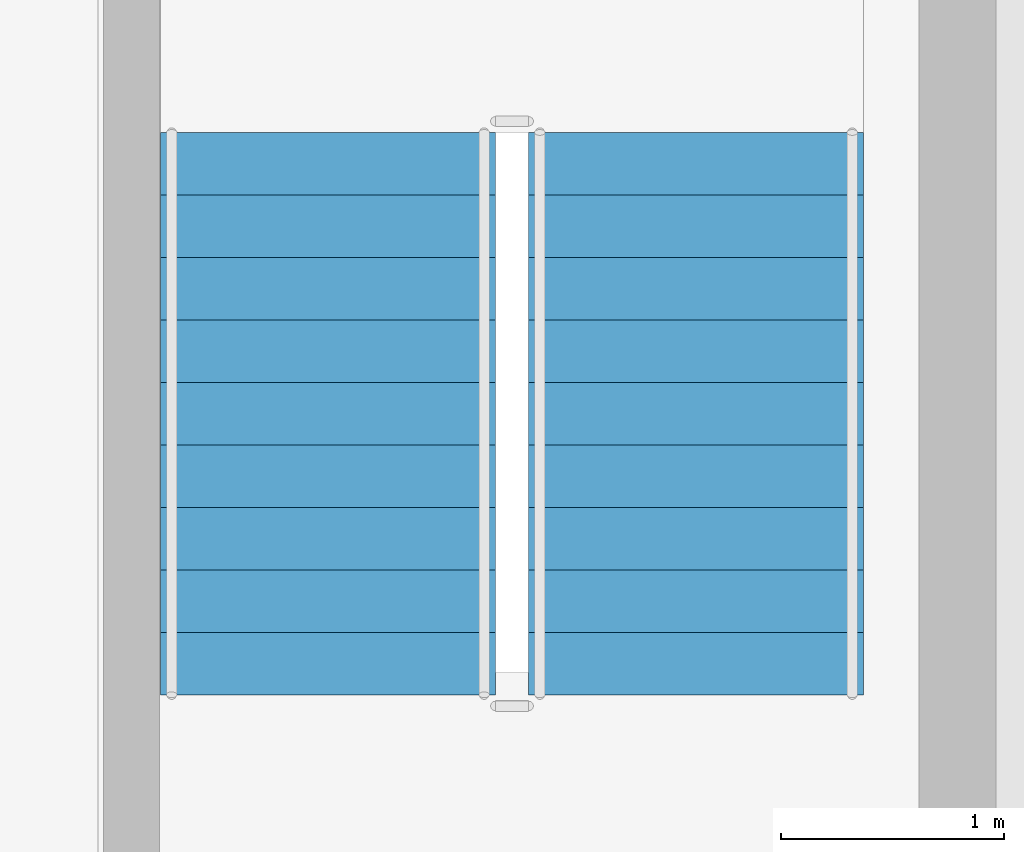
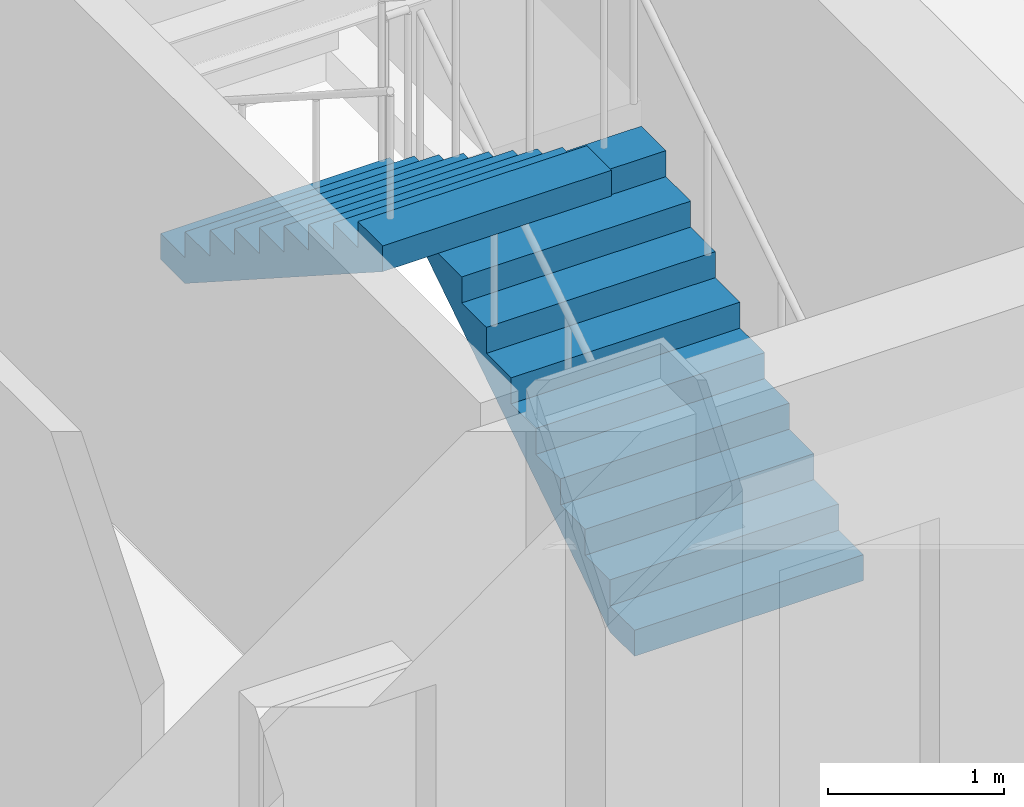
# One storey, part 13 of 16: 2 stair flights, 1 element without a shape of its own.
"""IFC4 building model written with IfcOpenShell, lengths in metres."""

import ifcopenshell
import ifcopenshell.guid

model = None  # the IFC model being written
_history = None  # IfcOwnerHistory: only IFC2X3 demands one
_inside = {}  # id of a spatial element -> (the spatial element, [elements in it])
_under = {}  # id of a project, library or spatial element -> (it, [spatial elements below it])
_declared = {}  # id of a project -> (the project, [libraries it declares])
_typed = {}  # id of a type object -> (the type object, [elements of that type])
_made_of = {}  # id of a material, layer set ... -> (it, [elements and type objects made of it])


def new_model(schema):
    """Start an empty IFC model of exactly this schema.

    Asked for "IFC4X3", IfcOpenShell would pick the latest addendum, in which some entities
    have other attributes; the version numbers below select the first issue.
    IFC2X3 requires an IfcOwnerHistory on every rooted entity: one is made here for all.
    """
    global model, _history
    if schema == "IFC4X3":
        model = ifcopenshell.file(schema_version=(4, 3, 0, 0))
    else:
        model = ifcopenshell.file(schema=schema)
    _inside.clear()
    _under.clear()
    _declared.clear()
    _typed.clear()
    _made_of.clear()
    _history = None
    if model.schema == "IFC2X3":
        org = make("IfcOrganization", Name="unknown")
        user = make(
            "IfcPersonAndOrganization",
            ThePerson=make("IfcPerson", FamilyName="unknown"),
            TheOrganization=org,
        )
        app = make(
            "IfcApplication",
            ApplicationDeveloper=org,
            Version="unknown",
            ApplicationFullName="unknown",
            ApplicationIdentifier="unknown",
        )
        _history = make(
            "IfcOwnerHistory",
            OwningUser=user,
            OwningApplication=app,
            ChangeAction="ADDED",
            CreationDate=0,
        )
    return model


def make(cls, **values):
    """One entity of the class cls with the attributes given. An attribute that is None is left unset."""
    return model.create_entity(
        cls, **{name: value for name, value in values.items() if value is not None}
    )


def rooted(cls, **values):
    """An entity with a GlobalId (a new one), such as an element, a storey or a relation."""
    return make(cls, GlobalId=ifcopenshell.guid.new(), OwnerHistory=_history, **values)


def si_unit(unit_type, name, prefix=None):
    """IfcSIUnit, for example si_unit("LENGTHUNIT", "METRE", prefix="MILLI")."""
    return make("IfcSIUnit", UnitType=unit_type, Prefix=prefix, Name=name)


def assignment(units):
    """IfcUnitAssignment: the units of a project."""
    return None if units is None else make("IfcUnitAssignment", Units=units)


def point(xyz):
    """IfcCartesianPoint."""
    return None if xyz is None else make("IfcCartesianPoint", Coordinates=xyz)


def direction(xyz):
    """IfcDirection."""
    return None if xyz is None else make("IfcDirection", DirectionRatios=xyz)


def frame(location, z_axis=None, x_axis=None):
    """IfcAxis2Placement3D, a coordinate frame: its origin and axes. An axis left out is left unset."""
    return make(
        "IfcAxis2Placement3D",
        Location=point(location),
        Axis=direction(z_axis),
        RefDirection=direction(x_axis),
    )


def origin():
    """The frame at (0, 0, 0) with its axes left unset."""
    return frame((0.0, 0.0, 0.0))


def place(relative_to, where):
    """IfcLocalPlacement: puts the frame where relative to a parent placement (None: the world)."""
    return make(
        "IfcLocalPlacement", PlacementRelTo=relative_to, RelativePlacement=where
    )


def context(
    kind, dimensions, precision=None, world=None, true_north=None, identifier=None
):
    """IfcGeometricRepresentationContext, for example the 3D "Model" context."""
    return make(
        "IfcGeometricRepresentationContext",
        ContextIdentifier=identifier,
        ContextType=kind,
        CoordinateSpaceDimension=dimensions,
        Precision=precision,
        WorldCoordinateSystem=world,
        TrueNorth=true_north,
    )


def subcontext(parent, identifier, kind, view, scale=None):
    """IfcGeometricRepresentationSubContext, for example "Body" below "Model"."""
    return make(
        "IfcGeometricRepresentationSubContext",
        ContextIdentifier=identifier,
        ContextType=kind,
        ParentContext=parent,
        TargetScale=scale,
        TargetView=view,
    )


def project(units=None, contexts=None):
    """IfcProject with its units and contexts."""
    return rooted(
        "IfcProject",
        Name="project",
        RepresentationContexts=contexts,
        UnitsInContext=assignment(units),
    )


def spatial(cls, under=None, at=None, **own):
    """A site, building, storey or space (cls), placed at a placement, below another one or the project."""
    s = rooted(cls, ObjectPlacement=at, **own)
    if under is not None:
        _under.setdefault(under.id(), (under, []))[1].append(s)
    return s


def polyline(points):
    """IfcPolyline through the points."""
    return make("IfcPolyline", Points=[point(p) for p in points])


def outline(outer, holes=None, kind="AREA"):
    """IfcArbitraryClosedProfileDef: a profile drawn as a closed curve; with holes, ...WithVoids."""
    if holes is None:
        return make("IfcArbitraryClosedProfileDef", ProfileType=kind, OuterCurve=outer)
    return make(
        "IfcArbitraryProfileDefWithVoids",
        ProfileType=kind,
        OuterCurve=outer,
        InnerCurves=holes,
    )


def extrude(swept, where, along, depth):
    """IfcExtrudedAreaSolid: the profile swept, set in the frame where, extruded along a direction by depth."""
    return make(
        "IfcExtrudedAreaSolid",
        SweptArea=swept,
        Position=where,
        ExtrudedDirection=direction(along),
        Depth=depth,
    )


def shape(context_of_items, identifier, shape_type, items):
    """IfcShapeRepresentation: the items that make up one representation, for example the "Body"."""
    return make(
        "IfcShapeRepresentation",
        ContextOfItems=context_of_items,
        RepresentationIdentifier=identifier,
        RepresentationType=shape_type,
        Items=items,
    )


def material(Name=None, Category=None):
    """IfcMaterial."""
    return make("IfcMaterial", Name=Name, Category=Category)


def made_of(thing, what):
    """Note that an element or type object is made of a material, layer set ...; save() writes the relation."""
    if what is not None:
        _made_of.setdefault(what.id(), (what, []))[1].append(thing)
    return thing


def type_object(cls, material=None, **own):
    """A type object (cls), such as IfcWallType, which elements share."""
    return made_of(rooted(cls, **own), material)


def element(
    cls,
    number,
    at=None,
    inside=None,
    cuts=None,
    type_object=None,
    material=None,
    context=None,
    identifier="Body",
    shape_type=None,
    held_by="IfcProductDefinitionShape",
    body=None,
    shapes=None,
    **own,
):
    """One element of the class cls, such as IfcWall. Its Tag is "e" and its number.

    at: its placement. inside: the storey or other place that contains it. cuts: it is an
    opening in that element (IfcRelVoidsElement). A single representation is given by context,
    identifier, shape_type and body (its items); several are given by shapes. held_by: the class
    of the entity that holds the representations. save() writes the other relations.
    """
    e = rooted(cls, Tag="e%d" % number, ObjectPlacement=at, **own)
    if body is not None:
        shapes = [shape(context, identifier, shape_type, body)]
    if shapes is not None:
        e.Representation = make(held_by, Representations=shapes)
    if inside is not None:
        _inside.setdefault(inside.id(), (inside, []))[1].append(e)
    if cuts is not None:
        rooted(
            "IfcRelVoidsElement", RelatingBuildingElement=cuts, RelatedOpeningElement=e
        )
    if type_object is not None:
        _typed.setdefault(type_object.id(), (type_object, []))[1].append(e)
    return made_of(e, material)


def aggregate(whole, parts):
    """IfcRelAggregates: a whole, such as a stair, and the parts it consists of."""
    return rooted("IfcRelAggregates", RelatingObject=whole, RelatedObjects=parts)


def save(model, path):
    """Write the relations noted so far, then the file.

    IfcRelAggregates (storeys below a building ...), IfcRelContainedInSpatialStructure (elements
    in a storey), IfcRelDefinesByType, IfcRelAssociatesMaterial and IfcRelDeclares: one each for
    every whole, place, type object, material and project.
    """
    for whole, parts in _under.values():
        aggregate(whole, parts)
    for where, things in _inside.values():
        rooted(
            "IfcRelContainedInSpatialStructure",
            RelatedElements=things,
            RelatingStructure=where,
        )
    for kind, things in _typed.values():
        rooted("IfcRelDefinesByType", RelatedObjects=things, RelatingType=kind)
    for what, things in _made_of.values():
        rooted("IfcRelAssociatesMaterial", RelatedObjects=things, RelatingMaterial=what)
    for by, libraries in _declared.values():
        rooted("IfcRelDeclares", RelatingContext=by, RelatedDefinitions=libraries)
    model.write(path)


model = new_model("IFC4")

# Units and contexts
model_context = context("Model", 3, precision=1e-05, world=origin(), true_north=direction((0.0, 1.0)))
body_context = subcontext(model_context, "Body", "Model", "MODEL_VIEW")
ifc_project = project(units=[si_unit("LENGTHUNIT", "METRE"), si_unit("AREAUNIT", "SQUARE_METRE"), si_unit("VOLUMEUNIT", "CUBIC_METRE"), si_unit("PLANEANGLEUNIT", "RADIAN"), si_unit("MASSUNIT", "GRAM", prefix="KILO")], contexts=[model_context])

# Site, building, storey
site_placement = place(None, origin())
site = spatial("IfcSite", under=ifc_project, at=site_placement, CompositionType="ELEMENT")
building_placement = place(site_placement, origin())
building = spatial("IfcBuilding", under=site, at=building_placement, Name="Trevonay Congress Spire", CompositionType="ELEMENT")
storey_placement = place(building_placement, frame((0.0, 0.0, 177.0)))
storey = spatial("IfcBuildingStorey", under=building, at=storey_placement, Name="L45", CompositionType="ELEMENT", Elevation=177.0)

# Stair, stair flights
ifc_material = material(Name="Concrete C40/50", Category="concrete")
stair_type = type_object("IfcStairType", Name="STR-ST-2", PredefinedType="HALF_TURN_STAIR", material=ifc_material)
stair_placement = place(storey_placement, origin())
stair = element("IfcStair", 1, at=stair_placement, inside=storey, type_object=stair_type, Name="L45 Protected Exit Stair ST-2", PredefinedType="HALF_TURN_STAIR")
stair_flight_type = type_object("IfcStairFlightType", Name="SFL-ST-2", PredefinedType="STRAIGHT", material=ifc_material)
stair_flight_1_placement = place(storey_placement, frame((6.0, -5.25, 0.0), z_axis=(0.0, 0.0, 1.0), x_axis=(0.0, 1.0, 0.0)))
stair_flight_1 = element("IfcStairFlight", 2, at=stair_flight_1_placement, type_object=stair_flight_type, Name="ST-2 flight 1", NumberOfRisers=10, NumberOfTreads=9, PredefinedType="STRAIGHT", RiserHeight=0.18, TreadLength=0.28, context=body_context, shape_type="SweptSolid", body=[
    extrude(outline(polyline([(0.0, 0.0), (0.0, 0.179931640625), (0.280029296875, 0.179931640625), (0.280029296875, 0.360107421875), (0.56005859375, 0.360107421875), (0.56005859375, 0.5400390625), (0.840087890625, 0.5400390625), (0.840087890625, 0.719970703125), (1.1201171875, 0.719970703125), (1.1201171875, 0.89990234375), (1.39990234375, 0.89990234375), (1.39990234375, 1.080078125), (1.679931640625, 1.080078125), (1.679931640625, 1.260009765625), (1.9599609375, 1.260009765625), (1.9599609375, 1.43994140625), (2.239990234375, 1.43994140625), (2.239990234375, 1.6201171875), (2.52001953125, 1.6201171875), (2.52001953125, 1.800048828125), (2.52001953125, 1.44189453125), (0.277099609375, 0.0), (0.0, 0.0)])), frame((0.0, 0.75, 0.0), z_axis=(0.0, -1.0, 0.0), x_axis=(1.0, 0.0, 0.0)), (0.0, 0.0, 1.0), 1.5),
])
stair_flight_2_placement = place(storey_placement, frame((4.35009765625, -2.72998046875, 1.800048828125), z_axis=(0.0, 0.0, 1.0), x_axis=(0.0, -1.0, 0.0)))
stair_flight_2 = element("IfcStairFlight", 3, at=stair_flight_2_placement, type_object=stair_flight_type, Name="ST-2 flight 2", NumberOfRisers=10, NumberOfTreads=9, PredefinedType="STRAIGHT", RiserHeight=0.18, TreadLength=0.28, context=body_context, shape_type="SweptSolid", body=[
    extrude(outline(polyline([(0.0, 0.0), (0.0, 0.179931640625), (0.280029296875, 0.179931640625), (0.280029296875, 0.360107421875), (0.56005859375, 0.360107421875), (0.56005859375, 0.5400390625), (0.840087890625, 0.5400390625), (0.840087890625, 0.719970703125), (1.1201171875, 0.719970703125), (1.1201171875, 0.89990234375), (1.39990234375, 0.89990234375), (1.39990234375, 1.080078125), (1.679931640625, 1.080078125), (1.679931640625, 1.260009765625), (1.9599609375, 1.260009765625), (1.9599609375, 1.43994140625), (2.239990234375, 1.43994140625), (2.239990234375, 1.6201171875), (2.52001953125, 1.6201171875), (2.52001953125, 1.800048828125), (2.52001953125, 1.44189453125), (0.277099609375, 0.0), (0.0, 0.0)])), frame((0.0, 0.75, 0.0), z_axis=(0.0, -1.0, 0.0), x_axis=(1.0, 0.0, 0.0)), (0.0, 0.0, 1.0), 1.5),
])
aggregate(stair, [stair_flight_1, stair_flight_2])

save(model, "model.ifc")
